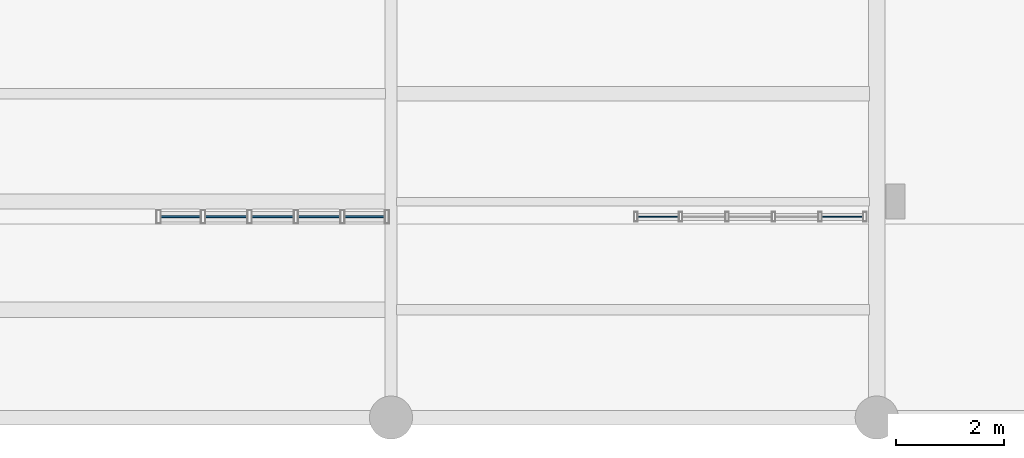
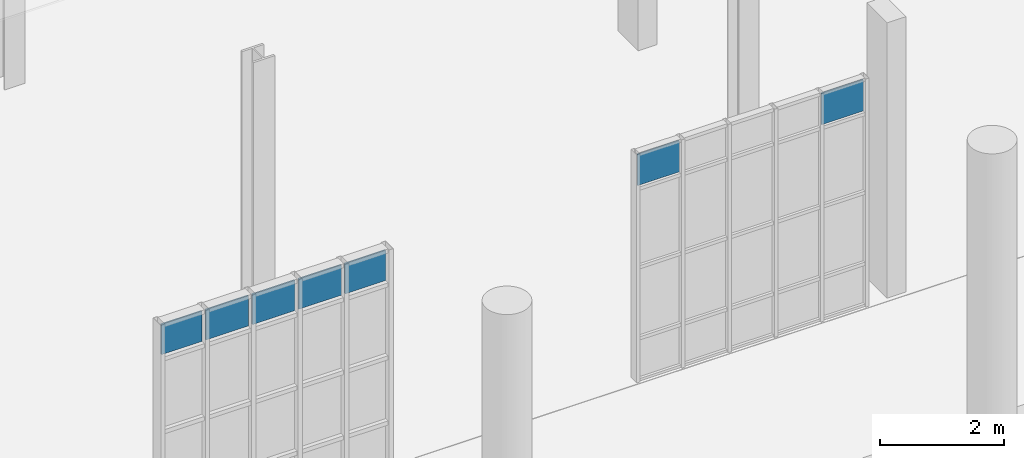
# One storey, part 171 of 189: 7 plates, 2 elements without a shape of their own.
"""IFC4 building model written with IfcOpenShell, lengths in metres."""

from ifc_helpers import new_model, si_unit, direction, frame, origin, origin_2d, place, context, subcontext, project, spatial, rectangle, extrude, material, layer, layer_set, type_object, element, aggregate, save


model = new_model("IFC4")

# Units and contexts
model_context = context("Model", 3, precision=1e-05, world=origin(), true_north=direction((0.0, 1.0)))
body_context = subcontext(model_context, "Body", "Model", "MODEL_VIEW")
ifc_project = project(units=[si_unit("LENGTHUNIT", "METRE"), si_unit("AREAUNIT", "SQUARE_METRE"), si_unit("VOLUMEUNIT", "CUBIC_METRE"), si_unit("PLANEANGLEUNIT", "RADIAN"), si_unit("MASSUNIT", "GRAM", prefix="KILO"), si_unit("THERMODYNAMICTEMPERATUREUNIT", "KELVIN"), si_unit("POWERUNIT", "WATT")], contexts=[model_context])

# Site, building, storey
site_placement = place(None, origin())
site = spatial("IfcSite", under=ifc_project, at=site_placement, CompositionType="ELEMENT")
building_placement = place(site_placement, origin())
building = spatial("IfcBuilding", under=site, at=building_placement, Name="Zelmaris Science Centre", CompositionType="ELEMENT")
storey_placement = place(building_placement, origin())
storey = spatial("IfcBuildingStorey", under=building, at=storey_placement, Name="L00", CompositionType="ELEMENT", Elevation=0.0)

# Curtain wall, plates
ifc_material_1 = material(Name="Anodised architectural aluminium 6063-T6", Category="aluminium")
ifc_layer_1 = layer(ifc_material_1, 0.18994140625, Name="Anodised architectural aluminium 6063-T6")
ifc_layer_set_1 = layer_set([ifc_layer_1], Name="Anodised architectural aluminium 6063-T6")
curtain_wall_type_1 = type_object("IfcCurtainWallType", Name="Curtain Wall CW-01", PredefinedType="USERDEFINED", material=ifc_layer_set_1)
curtain_wall_1_placement = place(storey_placement, origin())
curtain_wall_1 = element("IfcCurtainWall", 1, at=curtain_wall_1_placement, inside=storey, type_object=curtain_wall_type_1, Name="L00 Unitised curtain wall 105", ObjectType="GLAZED CURTAIN WALL", PredefinedType="USERDEFINED")
ifc_material_2 = material(Name="Laminated hurricane-rated low-E insulated glazing", Category="glass")
ifc_layer_2 = layer(ifc_material_2, 0.031982421875, Name="Laminated hurricane-rated low-E insulated glazing")
ifc_layer_set_2 = layer_set([ifc_layer_2], Name="Laminated hurricane-rated low-E insulated glazing")
plate_type_1 = type_object("IfcPlateType", Name="Curtain Glazing Panel CWP-1 32mm", PredefinedType="CURTAIN_PANEL", material=ifc_layer_set_2)
plate_1_placement = place(storey_placement, frame((134.51416015625, 11.72021484375, 3.580078125), z_axis=(0.0, 0.0, 1.0), x_axis=(-1.0, 0.0, 0.0)))
plate_1 = element("IfcPlate", 2, at=plate_1_placement, type_object=plate_type_1, Name="CW-01 panel 1.4", PredefinedType="CURTAIN_PANEL", context=body_context, shape_type="SweptSolid", body=[
    extrude(rectangle(XDim=0.752685546875, YDim=0.031982421875, at=origin_2d()), origin(), (0.0, 0.0, 1.0), 0.592041015625),
])
plate_2_placement = place(storey_placement, frame((133.67138671875, 11.72021484375, 3.580078125), z_axis=(0.0, 0.0, 1.0), x_axis=(-1.0, 0.0, 0.0)))
plate_2 = element("IfcPlate", 3, at=plate_2_placement, type_object=plate_type_1, Name="CW-01 panel 2.4", PredefinedType="CURTAIN_PANEL", context=body_context, shape_type="SweptSolid", body=[
    extrude(rectangle(XDim=0.788818359375, YDim=0.031982421875, at=origin_2d()), origin(), (0.0, 0.0, 1.0), 0.592041015625),
])
plate_3_placement = place(storey_placement, frame((132.810546875, 11.72021484375, 3.580078125), z_axis=(0.0, 0.0, 1.0), x_axis=(-1.0, 0.0, 0.0)))
plate_3 = element("IfcPlate", 4, at=plate_3_placement, type_object=plate_type_1, Name="CW-01 panel 3.4", PredefinedType="CURTAIN_PANEL", context=body_context, shape_type="SweptSolid", body=[
    extrude(rectangle(XDim=0.788818359375, YDim=0.031982421875, at=origin_2d()), origin(), (0.0, 0.0, 1.0), 0.592041015625),
])
plate_4_placement = place(storey_placement, frame((131.949951171875, 11.72021484375, 3.580078125), z_axis=(0.0, 0.0, 1.0), x_axis=(-1.0, 0.0, 0.0)))
plate_4 = element("IfcPlate", 5, at=plate_4_placement, type_object=plate_type_1, Name="CW-01 panel 4.4", PredefinedType="CURTAIN_PANEL", context=body_context, shape_type="SweptSolid", body=[
    extrude(rectangle(XDim=0.788818359375, YDim=0.031982421875, at=origin_2d()), origin(), (0.0, 0.0, 1.0), 0.592041015625),
])
plate_5_placement = place(storey_placement, frame((131.107177734375, 11.72021484375, 3.580078125), z_axis=(0.0, 0.0, 1.0), x_axis=(-1.0, 0.0, 0.0)))
plate_5 = element("IfcPlate", 6, at=plate_5_placement, type_object=plate_type_1, Name="CW-01 panel 5.4", PredefinedType="CURTAIN_PANEL", context=body_context, shape_type="SweptSolid", body=[
    extrude(rectangle(XDim=0.752685546875, YDim=0.031982421875, at=origin_2d()), origin(), (0.0, 0.0, 1.0), 0.592041015625),
])
aggregate(curtain_wall_1, [plate_1, plate_2, plate_3, plate_4, plate_5])

ifc_layer_3 = layer(ifc_material_1, 0.2099609375, Name="Anodised architectural aluminium 6063-T6")
ifc_layer_set_3 = layer_set([ifc_layer_3], Name="Anodised architectural aluminium 6063-T6")
curtain_wall_type_2 = type_object("IfcCurtainWallType", Name="Curtain Wall CW-03", PredefinedType="USERDEFINED", material=ifc_layer_set_3)
curtain_wall_2_placement = place(storey_placement, origin())
curtain_wall_2 = element("IfcCurtainWall", 7, at=curtain_wall_2_placement, inside=storey, type_object=curtain_wall_type_2, Name="L00 Unitised curtain wall 103", ObjectType="GLAZED CURTAIN WALL", PredefinedType="USERDEFINED")
ifc_layer_4 = layer(ifc_material_2, 0.02587890625, Name="Laminated hurricane-rated low-E insulated glazing")
ifc_layer_set_4 = layer_set([ifc_layer_4], Name="Laminated hurricane-rated low-E insulated glazing")
plate_type_2 = type_object("IfcPlateType", Name="Curtain Glazing Panel CWP-3 26mm", PredefinedType="CURTAIN_PANEL", material=ifc_layer_set_4)
plate_6_placement = place(storey_placement, frame((143.365478515625, 11.72021484375, 3.80126953125), z_axis=(0.0, 0.0, 1.0), x_axis=(-1.0, 0.0, 0.0)))
plate_6 = element("IfcPlate", 8, at=plate_6_placement, type_object=plate_type_2, Name="CW-03 panel 1.4", PredefinedType="CURTAIN_PANEL", context=body_context, shape_type="SweptSolid", body=[
    extrude(rectangle(XDim=0.775146484375, YDim=0.02587890625, at=origin_2d()), origin(), (0.0, 0.0, 1.0), 0.614501953125),
])
plate_7_placement = place(storey_placement, frame((139.950927734375, 11.72021484375, 3.80126953125), z_axis=(0.0, 0.0, 1.0), x_axis=(-1.0, 0.0, 0.0)))
plate_7 = element("IfcPlate", 9, at=plate_7_placement, type_object=plate_type_2, Name="CW-03 panel 5.4", PredefinedType="CURTAIN_PANEL", context=body_context, shape_type="SweptSolid", body=[
    extrude(rectangle(XDim=0.775146484375, YDim=0.02587890625, at=origin_2d()), origin(), (0.0, 0.0, 1.0), 0.614501953125),
])
aggregate(curtain_wall_2, [plate_6, plate_7])

save(model, "model.ifc")
